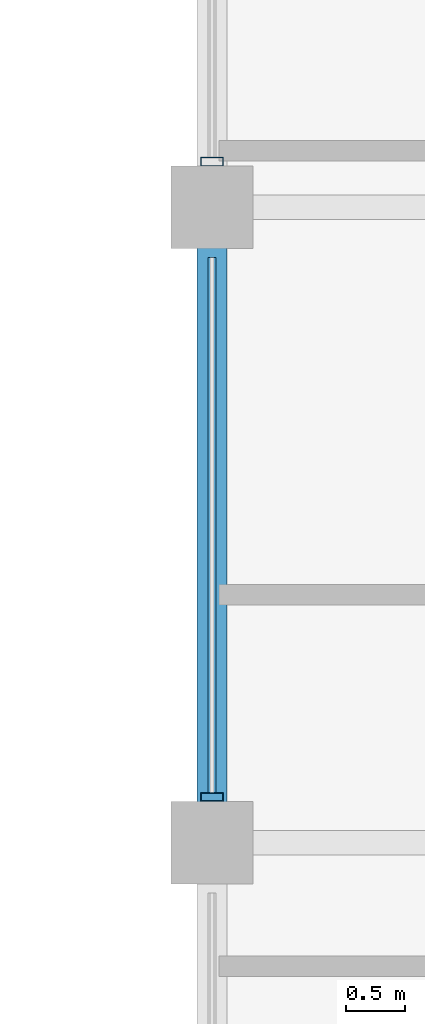
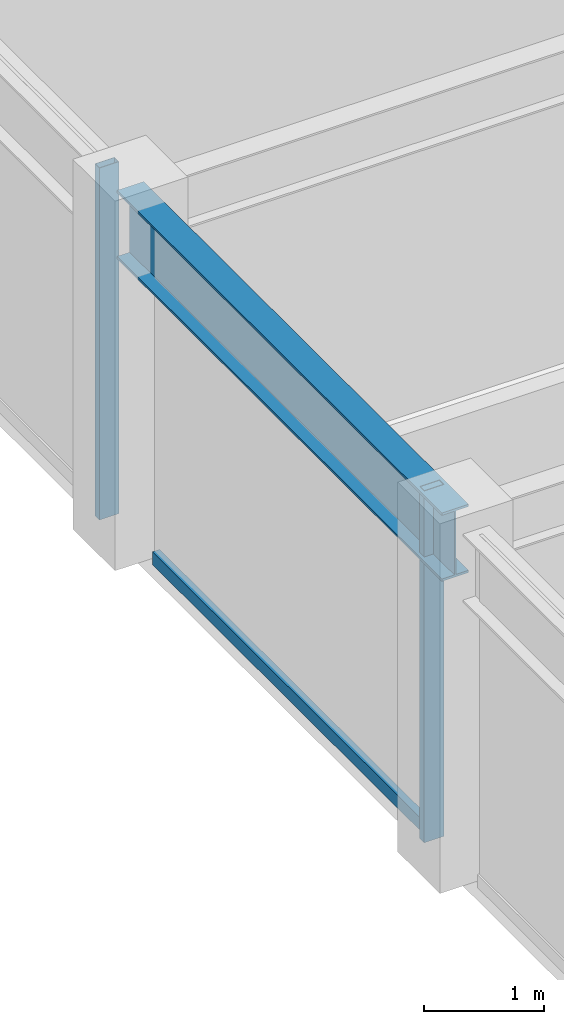
# One storey, part 5 of 31: 3 members, 1 beam, 1 element without a shape of its own.
"""IFC4 building model written with IfcOpenShell, lengths in metres."""

from ifc_helpers import new_model, si_unit, direction, frame, origin, origin_2d, place, context, subcontext, project, spatial, hollow_rectangle, i_section, extrude, material, layer, layer_set, material_profile, profile_set, type_object, element, aggregate, save


model = new_model("IFC4")

# Units and contexts
model_context = context("Model", 3, precision=1e-05, world=origin(), true_north=direction((0.0, 1.0)))
body_context = subcontext(model_context, "Body", "Model", "MODEL_VIEW")
ifc_project = project(units=[si_unit("LENGTHUNIT", "METRE"), si_unit("AREAUNIT", "SQUARE_METRE"), si_unit("VOLUMEUNIT", "CUBIC_METRE"), si_unit("PLANEANGLEUNIT", "RADIAN"), si_unit("MASSUNIT", "GRAM", prefix="KILO")], contexts=[model_context])

# Site, building, storey
site_placement = place(None, origin())
site = spatial("IfcSite", under=ifc_project, at=site_placement, CompositionType="ELEMENT")
building_placement = place(site_placement, origin())
building = spatial("IfcBuilding", under=site, at=building_placement, Name="Surkhivell Harbour Commons", CompositionType="ELEMENT")
storey_placement = place(building_placement, frame((0.0, 0.0, 262.5)))
storey = spatial("IfcBuildingStorey", under=building, at=storey_placement, Name="L68", CompositionType="ELEMENT", Elevation=262.5)

# Beam
ifc_material_1 = material(Name="Steel S355", Category="steel")
ifc_material_profile_1 = material_profile(ifc_material_1, i_section(OverallWidth=0.256103515625, OverallDepth=0.693115234375, WebThickness=0.014404296875, FlangeThickness=0.023681640625, at=origin_2d()), Name="UB686x254x170")
ifc_profile_set_1 = profile_set([ifc_material_profile_1], Name="Steel S355")
beam_type = type_object("IfcBeamType", Name="BM-SPN-686", PredefinedType="SPANDREL", material=ifc_profile_set_1)
beam_placement = place(storey_placement, frame((-27.0, -5.39990234375, 3.223388671875), z_axis=(0.0, 1.0, 0.0), x_axis=(-1.0, 0.0, 0.0)))
element("IfcBeam", 1, at=beam_placement, inside=storey, type_object=beam_type, Name="L68 Tube Spandrel (-27.0,-5.4)", PredefinedType="SPANDREL", context=body_context, shape_type="SweptSolid", body=[
    extrude(i_section(OverallWidth=0.256103515625, OverallDepth=0.693115234375, WebThickness=0.014404296875, FlangeThickness=0.023681640625, at=origin_2d()), origin(), (0.0, 0.0, 1.0), 5.39990234375),
])

# Curtain wall, members
ifc_material_2 = material(Name="Anodised pale-metal aluminium and insulated glazing", Category="aluminium")
ifc_layer = layer(ifc_material_2, 0.175048828125)
ifc_layer_set = layer_set([ifc_layer], Name="Anodised pale-metal aluminium and insulated glazing")
curtain_wall_type = type_object("IfcCurtainWallType", Name="CW-SYS-Z4", PredefinedType="NOTDEFINED", material=ifc_layer_set)
curtain_wall_placement = place(storey_placement, origin())
curtain_wall = element("IfcCurtainWall", 2, at=curtain_wall_placement, inside=storey, type_object=curtain_wall_type, Name="L68 Curtain Wall CW-L68-E12R1S1", PredefinedType="NOTDEFINED")
ifc_material_3 = material(Name="Anodised pale-metal aluminium alloy 6063-T6", Category="aluminium")
ifc_material_profile_2 = material_profile(ifc_material_3, hollow_rectangle(XDim=0.074951171875, YDim=0.18994140625, WallThickness=0.00390625, at=origin_2d()), Name="ALU-MULL-75x190")
ifc_profile_set_2 = profile_set([ifc_material_profile_2], Name="Anodised pale-metal aluminium alloy 6063-T6")
member_type_1 = type_object("IfcMemberType", Name="CWM-190", PredefinedType="MULLION", material=ifc_profile_set_2)
member_1_placement = place(storey_placement, frame((-27.0, -5.010498046875, 0.0), z_axis=(0.0, 0.0, 1.0), x_axis=(0.0, 1.0, 0.0)))
member_1 = element("IfcMember", 3, at=member_1_placement, type_object=member_type_1, Name="CW-Z4 mullion 2", PredefinedType="MULLION", context=body_context, shape_type="SweptSolid", body=[
    extrude(hollow_rectangle(XDim=0.074951171875, YDim=0.18994140625, WallThickness=0.00390625, at=origin_2d()), origin(), (0.0, 0.0, 1.0), 3.570068359375),
])
member_2_placement = place(storey_placement, frame((-27.0, 0.389404296875, 0.0), z_axis=(0.0, 0.0, 1.0), x_axis=(0.0, 1.0, 0.0)))
member_2 = element("IfcMember", 4, at=member_2_placement, type_object=member_type_1, Name="CW-Z4 mullion 3", PredefinedType="MULLION", context=body_context, shape_type="SweptSolid", body=[
    extrude(hollow_rectangle(XDim=0.074951171875, YDim=0.18994140625, WallThickness=0.00390625, at=origin_2d()), origin(), (0.0, 0.0, 1.0), 3.570068359375),
])
ifc_material_4 = material(Name="Champagne anodised aluminium alloy 6063-T6", Category="aluminium")
ifc_material_profile_3 = material_profile(ifc_material_4, hollow_rectangle(XDim=0.070068359375, YDim=0.1298828125, WallThickness=0.00341796875, at=origin_2d()), Name="ALU-TRAN-70x130")
ifc_profile_set_3 = profile_set([ifc_material_profile_3], Name="Champagne anodised aluminium alloy 6063-T6")
member_type_2 = type_object("IfcMemberType", Name="CWT-130", PredefinedType="USERDEFINED", material=ifc_profile_set_3)
member_3_placement = place(storey_placement, frame((-27.0, -4.972900390625, 0.06494140625), z_axis=(0.0, 1.0, 0.0), x_axis=(-1.0, 0.0, 0.0)))
member_3 = element("IfcMember", 5, at=member_3_placement, type_object=member_type_2, Name="CW-Z4 transom 2.1", ObjectType="TRANSOM", PredefinedType="USERDEFINED", context=body_context, shape_type="SweptSolid", body=[
    extrude(hollow_rectangle(XDim=0.070068359375, YDim=0.1298828125, WallThickness=0.00341796875, at=origin_2d()), origin(), (0.0, 0.0, 1.0), 4.5458984375),
])
aggregate(curtain_wall, [member_1, member_3, member_2])

save(model, "model.ifc")
